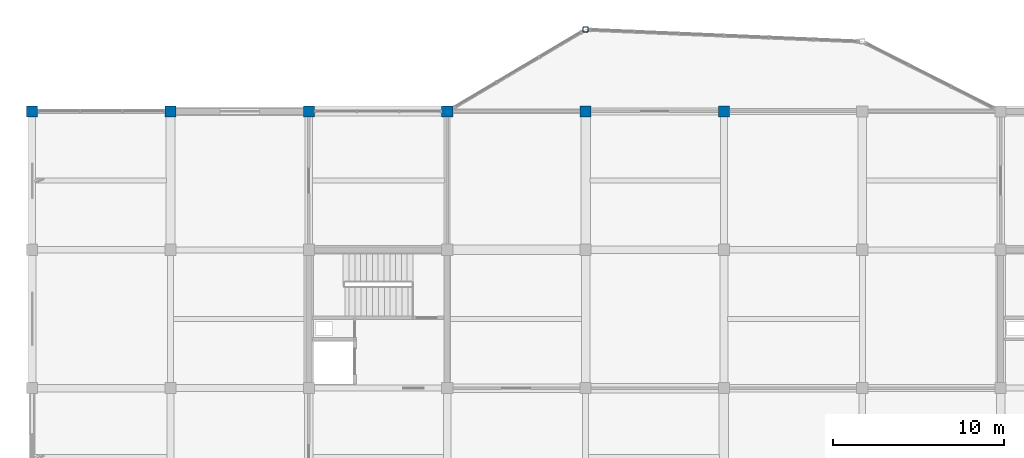
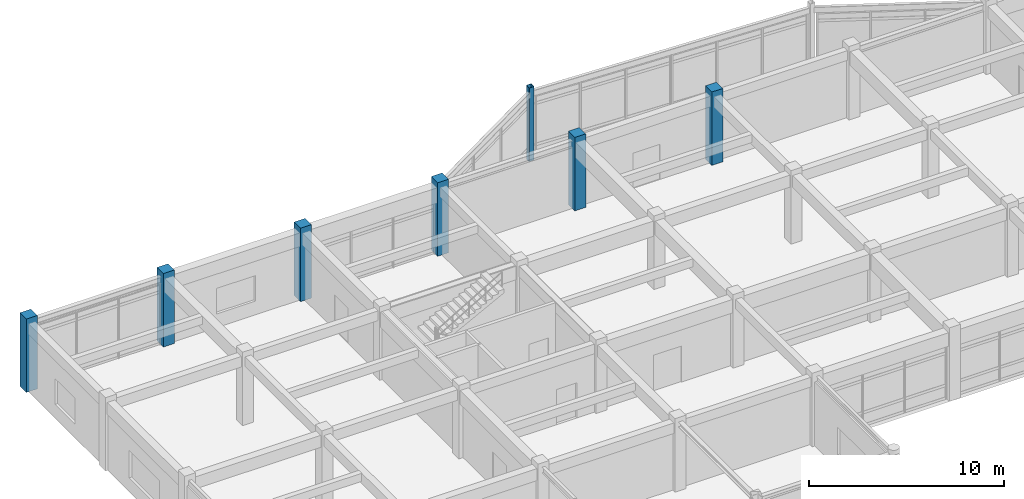
# One storey, part 14 of 93: 7 columns.
"""IFC4 building model written with IfcOpenShell, lengths in metres."""

from ifc_helpers import new_model, si_unit, direction, frame, origin, origin_2d, place, context, subcontext, project, spatial, rectangle, hollow_rectangle, extrude, material, material_profile, profile_set, type_object, element, save


model = new_model("IFC4")

# Units and contexts
model_context = context("Model", 3, precision=1e-05, world=origin(), true_north=direction((0.0, 1.0)))
body_context = subcontext(model_context, "Body", "Model", "MODEL_VIEW")
ifc_project = project(units=[si_unit("LENGTHUNIT", "METRE"), si_unit("AREAUNIT", "SQUARE_METRE"), si_unit("VOLUMEUNIT", "CUBIC_METRE"), si_unit("PLANEANGLEUNIT", "RADIAN"), si_unit("MASSUNIT", "GRAM", prefix="KILO")], contexts=[model_context])

# Site, building, storey
site_placement = place(None, origin())
site = spatial("IfcSite", under=ifc_project, at=site_placement, CompositionType="ELEMENT")
building_placement = place(site_placement, origin())
building = spatial("IfcBuilding", under=site, at=building_placement, Name="Vaudrelin Polytechnic", CompositionType="ELEMENT")
storey_placement = place(building_placement, frame((0.0, 0.0, 5.10009765625)))
storey = spatial("IfcBuildingStorey", under=building, at=storey_placement, Name="L01", CompositionType="ELEMENT", Elevation=5.10009765625)

# Columns
ifc_material_1 = material(Name="Steel CSA G40.21 350WT", Category="steel")
ifc_material_profile_1 = material_profile(ifc_material_1, hollow_rectangle(XDim=0.304931640625, YDim=0.304931640625, WallThickness=0.0126953125, InnerFilletRadius=0.0126953125, OuterFilletRadius=0.025390625, at=origin_2d()), Name="HSS305x305x12.7")
ifc_profile_set_1 = profile_set([ifc_material_profile_1], Name="Steel CSA G40.21 350WT")
column_type_1 = type_object("IfcColumnType", Name="COL-C-HSS305", PredefinedType="COLUMN", material=ifc_profile_set_1)
column_placement = place(storey_placement, frame((32.39990234375, 126.300048828125, 0.0), z_axis=(0.0, 0.0, 1.0), x_axis=(1.0, 0.0, 0.0)))
element("IfcColumn", 1, at=column_placement, inside=storey, type_object=column_type_1, Name="Deconstructivist column L01 N_OR1_1", PredefinedType="COLUMN", context=body_context, shape_type="SweptSolid", body=[
    extrude(hollow_rectangle(XDim=0.304931640625, YDim=0.304931640625, WallThickness=0.0126953125, InnerFilletRadius=0.0126953125, OuterFilletRadius=0.025390625, at=origin_2d()), origin(), (0.0, 0.0, 1.0), 4.58984375),
])
ifc_material_2 = material(Name="Concrete 40 MPa", Category="concrete")
ifc_material_profile_2 = material_profile(ifc_material_2, rectangle(XDim=0.64990234375, YDim=0.64990234375, at=origin_2d()), Name="RC650x650")
ifc_profile_set_2 = profile_set([ifc_material_profile_2], Name="Concrete 40 MPa")
column_type_2 = type_object("IfcColumnType", Name="COL-C-RC650", PredefinedType="COLUMN", material=ifc_profile_set_2)
for number, where, z_axis, x_axis, name in (
    (2, (0.0, 121.5, 0.0), (0.0, 0.0, 1.0), (1.0, 0.0, 0.0), "Column L01 1-16"),
    (3, (8.10009765625, 121.5, 0.0), (0.0, 0.0, 1.0), (1.0, 0.0, 0.0), "Column L01 2-16"),
    (4, (16.199951171875, 121.5, 0.0), (0.0, 0.0, 1.0), (1.0, 0.0, 0.0), "Column L01 3-16"),
    (5, (24.300048828125, 121.5, 0.0), (0.0, 0.0, 1.0), (1.0, 0.0, 0.0), "Column L01 4-16"),
    (6, (32.39990234375, 121.5, 0.0), (0.0, 0.0, 1.0), (1.0, 0.0, 0.0), "Column L01 5-16"),
    (7, (40.5, 121.5, 0.0), (0.0, 0.0, 1.0), (1.0, 0.0, 0.0), "Column L01 6-16"),
):
    element("IfcColumn", number, at=place(storey_placement, frame(where, z_axis=z_axis, x_axis=x_axis)), inside=storey, type_object=column_type_2, Name=name, PredefinedType="COLUMN", context=body_context, shape_type="SweptSolid", body=[
        extrude(rectangle(XDim=0.64990234375, YDim=0.64990234375, at=origin_2d()), origin(), (0.0, 0.0, 1.0), 4.58984375),
    ])

save(model, "model.ifc")
